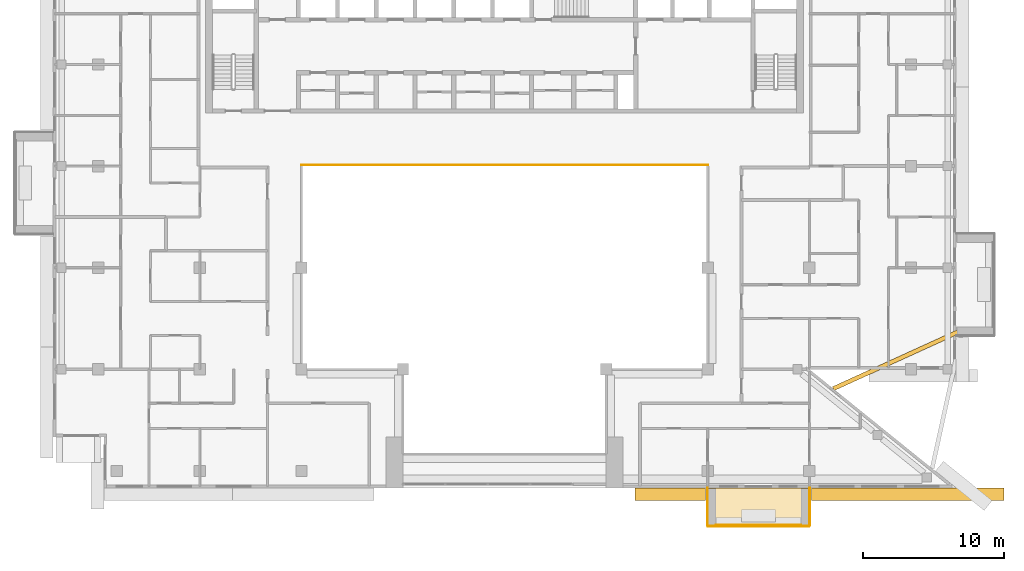
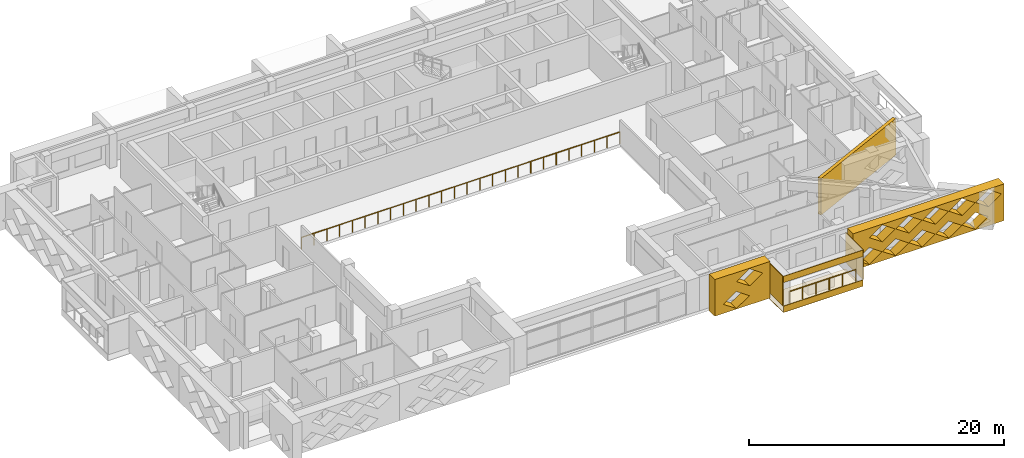
# One storey, part 15 of 19: 8 coverings, 2 railings.
"""IFC4 building model written with IfcOpenShell, lengths in metres."""

from ifc_helpers import new_model, si_unit, direction, frame, origin, origin_2d, place, context, subcontext, project, spatial, polyline, circle, outline, extrude, material, layer, layer_set, type_object, element, save


model = new_model("IFC4")

# Units and contexts
model_context = context("Model", 3, precision=1e-05, world=origin(), true_north=direction((0.0, 1.0)))
body_context = subcontext(model_context, "Body", "Model", "MODEL_VIEW")
ifc_project = project(units=[si_unit("LENGTHUNIT", "METRE"), si_unit("AREAUNIT", "SQUARE_METRE"), si_unit("VOLUMEUNIT", "CUBIC_METRE"), si_unit("PLANEANGLEUNIT", "RADIAN"), si_unit("MASSUNIT", "GRAM", prefix="KILO")], contexts=[model_context])

# Site, building, storey
site_placement = place(None, origin())
site = spatial("IfcSite", under=ifc_project, at=site_placement, CompositionType="ELEMENT")
building_placement = place(site_placement, origin())
building = spatial("IfcBuilding", under=site, at=building_placement, Name="Saffron Iwan Residences", CompositionType="ELEMENT")
storey_placement = place(building_placement, frame((0.0, 0.0, 232.5)))
storey = spatial("IfcBuildingStorey", under=building, at=storey_placement, Name="L62", CompositionType="ELEMENT", Elevation=232.5)

# Railings
ifc_material_1 = material(Name="Stainless steel 316", Category="steel")
railing_type_1 = type_object("IfcRailingType", Name="Atrium guard 1150", PredefinedType="GUARDRAIL", material=ifc_material_1)
railing_1_placement = place(storey_placement, frame((36.0, 62.47509765625, 0.0)))
element("IfcRailing", 1, at=railing_1_placement, inside=storey, type_object=railing_type_1, Name="Atrium guard L62", PredefinedType="GUARDRAIL", context=body_context, shape_type="SweptSolid", body=[
    extrude(circle(Radius=0.02392578125, at=origin_2d()), frame((0.0, 0.0, 1.1259765625), z_axis=(1.0, 0.0, 0.0), x_axis=(0.0, 1.0, 0.0)), (0.0, 0.0, 1.0), 28.800048828125),
    extrude(circle(Radius=0.02099609375, at=origin_2d()), origin(), (0.0, 0.0, 1.0), 1.101806640625),
    extrude(circle(Radius=0.02099609375, at=origin_2d()), frame((1.152099609375, 0.0, 0.0)), (0.0, 0.0, 1.0), 1.101806640625),
    extrude(circle(Radius=0.02099609375, at=origin_2d()), frame((2.303955078125, 0.0, 0.0)), (0.0, 0.0, 1.0), 1.101806640625),
    extrude(circle(Radius=0.02099609375, at=origin_2d()), frame((3.4560546875, 0.0, 0.0)), (0.0, 0.0, 1.0), 1.101806640625),
    extrude(circle(Radius=0.02099609375, at=origin_2d()), frame((4.60791015625, 0.0, 0.0)), (0.0, 0.0, 1.0), 1.101806640625),
    extrude(circle(Radius=0.02099609375, at=origin_2d()), frame((5.760009765625, 0.0, 0.0)), (0.0, 0.0, 1.0), 1.101806640625),
    extrude(circle(Radius=0.02099609375, at=origin_2d()), frame((6.912109375, 0.0, 0.0)), (0.0, 0.0, 1.0), 1.101806640625),
    extrude(circle(Radius=0.02099609375, at=origin_2d()), frame((8.06396484375, 0.0, 0.0)), (0.0, 0.0, 1.0), 1.101806640625),
    extrude(circle(Radius=0.02099609375, at=origin_2d()), frame((9.216064453125, 0.0, 0.0)), (0.0, 0.0, 1.0), 1.101806640625),
    extrude(circle(Radius=0.02099609375, at=origin_2d()), frame((10.367919921875, 0.0, 0.0)), (0.0, 0.0, 1.0), 1.101806640625),
    extrude(circle(Radius=0.02099609375, at=origin_2d()), frame((11.52001953125, 0.0, 0.0)), (0.0, 0.0, 1.0), 1.101806640625),
    extrude(circle(Radius=0.02099609375, at=origin_2d()), frame((12.672119140625, 0.0, 0.0)), (0.0, 0.0, 1.0), 1.101806640625),
    extrude(circle(Radius=0.02099609375, at=origin_2d()), frame((13.823974609375, 0.0, 0.0)), (0.0, 0.0, 1.0), 1.101806640625),
    extrude(circle(Radius=0.02099609375, at=origin_2d()), frame((14.97607421875, 0.0, 0.0)), (0.0, 0.0, 1.0), 1.101806640625),
    extrude(circle(Radius=0.02099609375, at=origin_2d()), frame((16.1279296875, 0.0, 0.0)), (0.0, 0.0, 1.0), 1.101806640625),
    extrude(circle(Radius=0.02099609375, at=origin_2d()), frame((17.280029296875, 0.0, 0.0)), (0.0, 0.0, 1.0), 1.101806640625),
    extrude(circle(Radius=0.02099609375, at=origin_2d()), frame((18.43212890625, 0.0, 0.0)), (0.0, 0.0, 1.0), 1.101806640625),
    extrude(circle(Radius=0.02099609375, at=origin_2d()), frame((19.583984375, 0.0, 0.0)), (0.0, 0.0, 1.0), 1.101806640625),
    extrude(circle(Radius=0.02099609375, at=origin_2d()), frame((20.736083984375, 0.0, 0.0)), (0.0, 0.0, 1.0), 1.101806640625),
    extrude(circle(Radius=0.02099609375, at=origin_2d()), frame((21.887939453125, 0.0, 0.0)), (0.0, 0.0, 1.0), 1.101806640625),
    extrude(circle(Radius=0.02099609375, at=origin_2d()), frame((23.0400390625, 0.0, 0.0)), (0.0, 0.0, 1.0), 1.101806640625),
    extrude(circle(Radius=0.02099609375, at=origin_2d()), frame((24.192138671875, 0.0, 0.0)), (0.0, 0.0, 1.0), 1.101806640625),
    extrude(circle(Radius=0.02099609375, at=origin_2d()), frame((25.343994140625, 0.0, 0.0)), (0.0, 0.0, 1.0), 1.101806640625),
    extrude(circle(Radius=0.02099609375, at=origin_2d()), frame((26.49609375, 0.0, 0.0)), (0.0, 0.0, 1.0), 1.101806640625),
    extrude(circle(Radius=0.02099609375, at=origin_2d()), frame((27.64794921875, 0.0, 0.0)), (0.0, 0.0, 1.0), 1.101806640625),
    extrude(circle(Radius=0.02099609375, at=origin_2d()), frame((28.800048828125, 0.0, 0.0)), (0.0, 0.0, 1.0), 1.101806640625),
])
railing_type_2 = type_object("IfcRailingType", Name="BALCONY GUARD 1150", PredefinedType="GUARDRAIL", material=ifc_material_1)
railing_2_placement = place(storey_placement, frame((65.39990234375, 36.97509765625, 0.0)))
element("IfcRailing", 2, at=railing_2_placement, inside=storey, type_object=railing_type_2, Name="Balcony guard L62 11-0", PredefinedType="GUARDRAIL", context=body_context, shape_type="SweptSolid", body=[
    extrude(circle(Radius=0.02392578125, at=origin_2d()), frame((0.0, 0.0, 1.1259765625), z_axis=(1.0, 0.0, 0.0), x_axis=(0.0, 1.0, 0.0)), (0.0, 0.0, 1.0), 6.0),
    extrude(circle(Radius=0.02099609375, at=origin_2d()), origin(), (0.0, 0.0, 1.0), 1.101806640625),
    extrude(circle(Radius=0.02099609375, at=origin_2d()), frame((1.199951171875, 0.0, 0.0)), (0.0, 0.0, 1.0), 1.101806640625),
    extrude(circle(Radius=0.02099609375, at=origin_2d()), frame((2.39990234375, 0.0, 0.0)), (0.0, 0.0, 1.0), 1.101806640625),
    extrude(circle(Radius=0.02099609375, at=origin_2d()), frame((3.60009765625, 0.0, 0.0)), (0.0, 0.0, 1.0), 1.101806640625),
    extrude(circle(Radius=0.02099609375, at=origin_2d()), frame((4.800048828125, 0.0, 0.0)), (0.0, 0.0, 1.0), 1.101806640625),
    extrude(circle(Radius=0.02099609375, at=origin_2d()), frame((6.0, 0.0, 0.0)), (0.0, 0.0, 1.0), 1.101806640625),
])

# Coverings
ifc_material_2 = material(Name="Precast concrete C40/50 white painted", Category="concrete")
ifc_layer_1 = layer(ifc_material_2, 0.050048828125)
ifc_layer_set_1 = layer_set([ifc_layer_1], Name="Precast concrete C40/50 white painted")
covering_type_1 = type_object("IfcCoveringType", Name="FRAME SKIN PRECAST WHITE 50", PredefinedType="CLADDING", material=ifc_layer_set_1)
for number, where, name in (
    (3, (0.0, 0.0, -0.60009765625), "Frame skin slab edge L62 11-0"),
    (4, (0.0, 0.0, 2.25), "Frame skin fascia L62 11-0"),
):
    element("IfcCovering", number, at=place(storey_placement, frame(where)), inside=storey, type_object=covering_type_1, Name=name, PredefinedType="CLADDING", context=body_context, shape_type="SweptSolid", body=[
        extrude(outline(polyline([(64.800048828125, 36.85009765625), (72.0, 36.85009765625), (72.0, 36.89990234375), (64.800048828125, 36.89990234375), (64.800048828125, 36.85009765625)])), origin(), (0.0, 0.0, 1.0), 0.60009765625),
    ])
covering_1_placement = place(storey_placement, frame((0.0, 0.0, -0.64990234375)))
element("IfcCovering", 5, at=covering_1_placement, inside=storey, type_object=covering_type_1, Name="Frame skin soffit L62 11-0", PredefinedType="CLADDING", context=body_context, shape_type="SweptSolid", body=[
    extrude(outline(polyline([(64.800048828125, 36.89990234375), (72.0, 36.89990234375), (72.0, 39.60009765625), (64.800048828125, 39.60009765625), (64.800048828125, 36.89990234375)])), origin(), (0.0, 0.0, 1.0), 0.0498046875),
])
covering_2_placement = place(storey_placement, origin())
element("IfcCovering", 6, at=covering_2_placement, inside=storey, type_object=covering_type_1, Name="Frame skin fin L62 11-0a", PredefinedType="CLADDING", context=body_context, shape_type="SweptSolid", body=[
    extrude(outline(polyline([(64.75, 36.89990234375), (64.800048828125, 36.89990234375), (64.800048828125, 39.60009765625), (64.75, 39.60009765625), (64.75, 36.89990234375)])), origin(), (0.0, 0.0, 1.0), 2.85009765625),
])
covering_3_placement = place(storey_placement, origin())
element("IfcCovering", 7, at=covering_3_placement, inside=storey, type_object=covering_type_1, Name="Frame skin fin L62 11-0b", PredefinedType="CLADDING", context=body_context, shape_type="SweptSolid", body=[
    extrude(outline(polyline([(72.0, 36.89990234375), (72.050048828125, 36.89990234375), (72.050048828125, 39.60009765625), (72.0, 39.60009765625), (72.0, 36.89990234375)])), origin(), (0.0, 0.0, 1.0), 2.85009765625),
])
ifc_material_3 = material(Name="Precast concrete C40/50", Category="concrete")
covering_type_2 = type_object("IfcCoveringType", Name="OUTER SKIN LATTICE SCREEN", PredefinedType="CLADDING", material=ifc_material_3)
covering_4_placement = place(storey_placement, frame((59.64990234375, 39.60009765625, -0.280029296875), z_axis=(0.0, -1.0, 0.0), x_axis=(1.0, 0.0, 0.0)))
element("IfcCovering", 8, at=covering_4_placement, inside=storey, type_object=covering_type_2, Name="OUTER SKIN lattice screen L62 F11.2", PredefinedType="CLADDING", context=body_context, shape_type="SweptSolid", body=[
    extrude(outline(polyline([(0.0, 0.0), (5.0, 0.0), (5.0, 3.5), (0.0, 3.5), (0.0, 0.0)]), holes=[polyline([(0.77001953125, 0.875), (1.949951171875, 0.06005859375), (3.1298828125, 0.875), (1.949951171875, 1.68994140625), (0.77001953125, 0.875)]), polyline([(1.969970703125, 2.625), (3.14990234375, 1.81005859375), (4.330078125, 2.625), (3.14990234375, 3.43994140625), (1.969970703125, 2.625)])]), origin(), (0.0, 0.0, 1.0), 0.900146484375),
])
covering_5_placement = place(storey_placement, frame((72.14990234375, 39.60009765625, -0.280029296875), z_axis=(0.0, -1.0, 0.0), x_axis=(1.0, 0.0, 0.0)))
element("IfcCovering", 9, at=covering_5_placement, inside=storey, type_object=covering_type_2, Name="OUTER SKIN lattice screen L62 F11.3", PredefinedType="CLADDING", context=body_context, shape_type="SweptSolid", body=[
    extrude(outline(polyline([(0.0, 0.0), (13.6455078125, 0.0), (13.6455078125, 3.5), (0.0, 3.5), (0.0, 0.0)]), holes=[polyline([(0.27001953125, 0.875), (1.449951171875, 0.06005859375), (2.6298828125, 0.875), (1.449951171875, 1.68994140625), (0.27001953125, 0.875)]), polyline([(2.669921875, 0.875), (3.85009765625, 0.06005859375), (5.030029296875, 0.875), (3.85009765625, 1.68994140625), (2.669921875, 0.875)]), polyline([(5.070068359375, 0.875), (6.25, 0.06005859375), (7.429931640625, 0.875), (6.25, 1.68994140625), (5.070068359375, 0.875)]), polyline([(7.469970703125, 0.875), (8.64990234375, 0.06005859375), (9.830078125, 0.875), (8.64990234375, 1.68994140625), (7.469970703125, 0.875)]), polyline([(9.8701171875, 0.875), (11.050048828125, 0.06005859375), (12.22998046875, 0.875), (11.050048828125, 1.68994140625), (9.8701171875, 0.875)]), polyline([(1.469970703125, 2.625), (2.64990234375, 1.81005859375), (3.830078125, 2.625), (2.64990234375, 3.43994140625), (1.469970703125, 2.625)]), polyline([(3.8701171875, 2.625), (5.050048828125, 1.81005859375), (6.22998046875, 2.625), (5.050048828125, 3.43994140625), (3.8701171875, 2.625)]), polyline([(6.27001953125, 2.625), (7.449951171875, 1.81005859375), (8.6298828125, 2.625), (7.449951171875, 3.43994140625), (6.27001953125, 2.625)]), polyline([(8.669921875, 2.625), (9.85009765625, 1.81005859375), (11.030029296875, 2.625), (9.85009765625, 3.43994140625), (8.669921875, 2.625)]), polyline([(11.070068359375, 2.625), (12.25, 1.81005859375), (13.429931640625, 2.625), (12.25, 3.43994140625), (11.070068359375, 2.625)])]), origin(), (0.0, 0.0, 1.0), 0.900146484375),
])
ifc_layer_2 = layer(ifc_material_2, 0.300048828125)
ifc_layer_set_2 = layer_set([ifc_layer_2], Name="Precast concrete C40/50 white painted")
covering_type_3 = type_object("IfcCoveringType", Name="PROW NOSE BLADE PRECAST WHITE", PredefinedType="CLADDING", material=ifc_layer_set_2)
covering_6_placement = place(storey_placement, frame((0.0, 0.0, -0.280029296875)))
element("IfcCovering", 10, at=covering_6_placement, inside=storey, type_object=covering_type_3, Name="Prow nose blade L62 b", PredefinedType="CLADDING", context=body_context, shape_type="SweptSolid", body=[
    extrude(outline(polyline([(73.761474609375, 46.490966796875), (82.917236328125, 50.6650390625), (82.792724609375, 50.93798828125), (73.636962890625, 46.763916015625), (73.761474609375, 46.490966796875)])), origin(), (0.0, 0.0, 1.0), 3.5),
])

save(model, "model.ifc")
